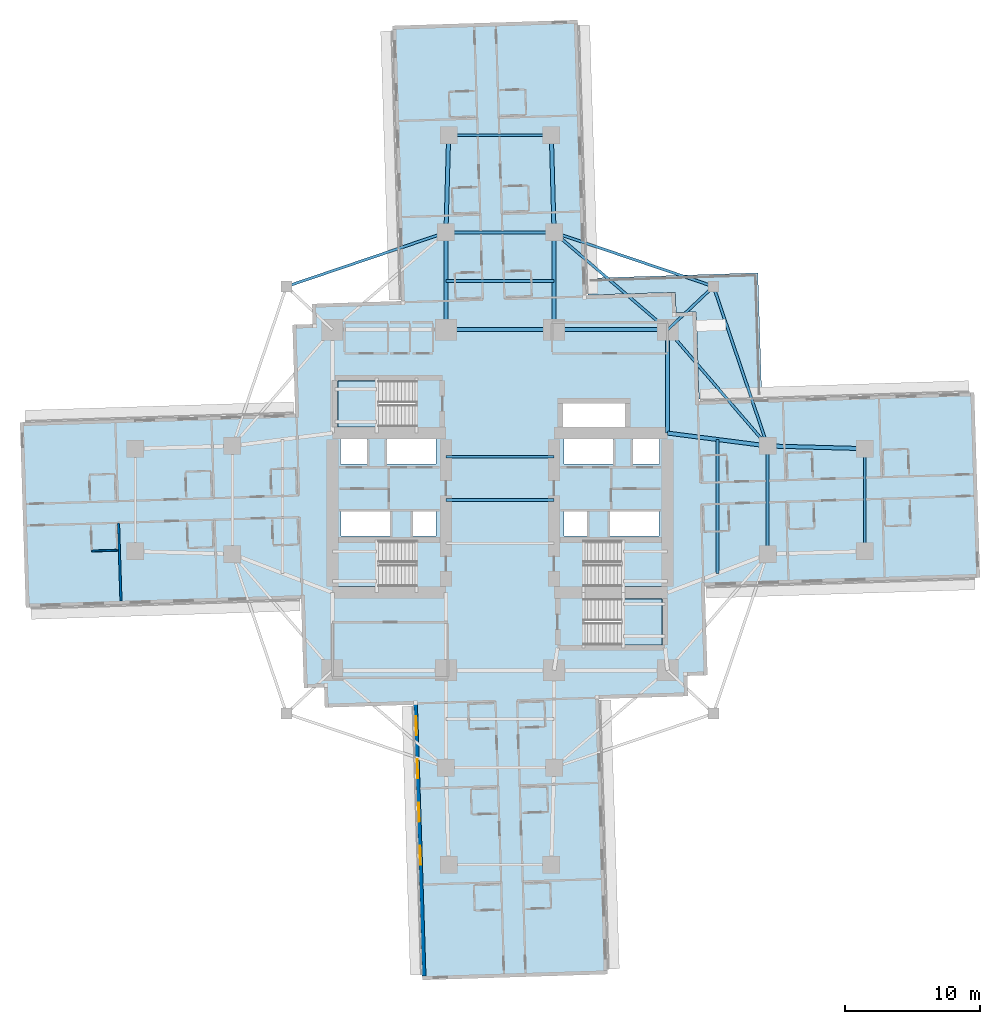
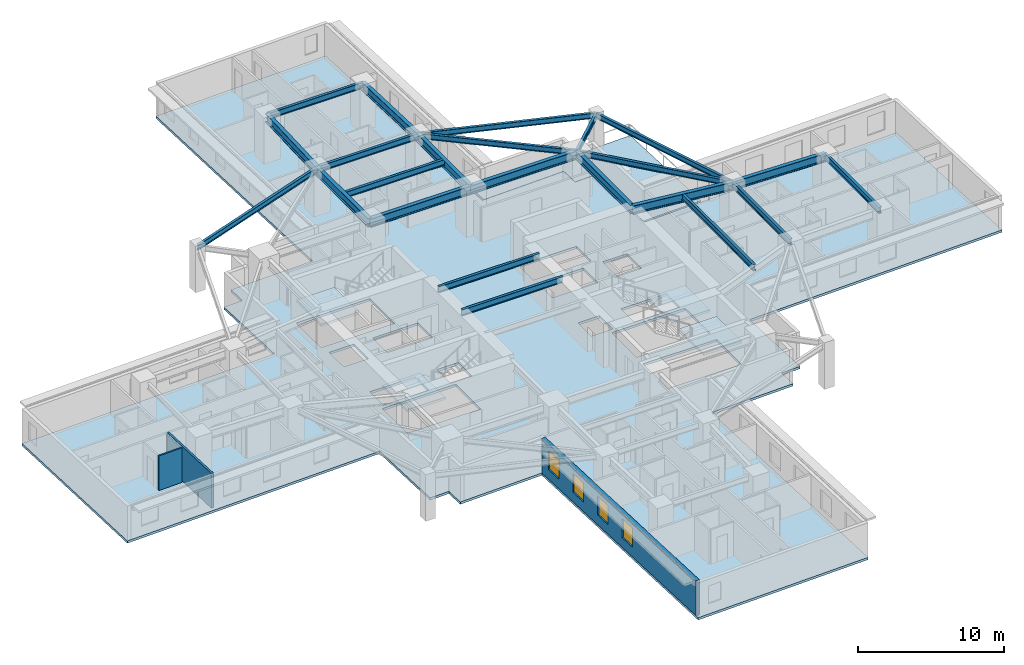
# One storey, part 2 of 15: 23 beams, 6 slabs, 4 windows, 3 walls, 4 openings, 4 elements without a shape of their own.
"""IFC4 building model written with IfcOpenShell, lengths in metres."""

from ifc_helpers import new_model, si_unit, direction, frame, frame_2d, origin, origin_2d, place, context, subcontext, project, spatial, polyline, rectangle, i_section, outline, extrude, material, layer, layer_set, material_profile, profile_set, type_object, element, fill, aggregate, save


model = new_model("IFC4")

# Units and contexts
model_context = context("Model", 3, precision=1e-05, world=origin(), true_north=direction((0.0, 1.0)))
body_context = subcontext(model_context, "Body", "Model", "MODEL_VIEW")
ifc_project = project(units=[si_unit("LENGTHUNIT", "METRE"), si_unit("AREAUNIT", "SQUARE_METRE"), si_unit("VOLUMEUNIT", "CUBIC_METRE"), si_unit("PLANEANGLEUNIT", "RADIAN"), si_unit("MASSUNIT", "GRAM", prefix="KILO")], contexts=[model_context])

# Site, building, storey
site_placement = place(None, origin())
site = spatial("IfcSite", under=ifc_project, at=site_placement, CompositionType="ELEMENT")
building_placement = place(site_placement, origin())
building = spatial("IfcBuilding", under=site, at=building_placement, Name="Qingluan Cross Belvedere", CompositionType="ELEMENT")
storey_placement = place(building_placement, frame((0.0, 0.0, 31.5)))
storey = spatial("IfcBuildingStorey", under=building, at=storey_placement, Name="L08", CompositionType="ELEMENT", Elevation=31.5)

# Beams
ifc_material_1 = material(Name="Steel Q420GJB", Category="steel")
ifc_material_profile_1 = material_profile(ifc_material_1, i_section(OverallWidth=0.199951171875, OverallDepth=0.449951171875, WebThickness=0.009033203125, FlangeThickness=0.013916015625, FilletRadius=0.01611328125, at=origin_2d()), Name="HN450x200x9x14")
ifc_profile_set_1 = profile_set([ifc_material_profile_1], Name="Steel Q420GJB")
beam_type_1 = type_object("IfcBeamType", Name="Steel_Beam_HN450x200x9x14", PredefinedType="JOIST", material=ifc_profile_set_1)
beam_1_placement = place(storey_placement, frame((12.39990234375, 12.60009765625, 3.47509765625), z_axis=(0.728219948308, 0.685343495546, 0.0), x_axis=(-0.685343495546, 0.728219948308, 0.0)))
element("IfcBeam", 1, at=beam_1_placement, inside=storey, type_object=beam_type_1, Name="Corner beam 1 L08-RNE", PredefinedType="JOIST", context=body_context, shape_type="SweptSolid", body=[
    extrude(i_section(OverallWidth=0.199951171875, OverallDepth=0.449951171875, WebThickness=0.009033203125, FlangeThickness=0.013916015625, FilletRadius=0.01611328125, at=origin_2d()), origin(), (0.0, 0.0, 1.0), 4.669189453125),
])
for number, where, z_axis, x_axis, name in (
    (2, (15.800048828125, 15.800048828125, 3.47509765625), (-0.947066283324, 0.321038089628, 0.0), (-0.321038089628, -0.947066283324, 0.0), "Corner beam 2 L08-RNE"),
    (3, (15.800048828125, 15.800048828125, 3.47509765625), (0.321038089628, -0.947066283324, 0.0), (0.947066283324, 0.321038089628, 0.0), "Corner beam 3 L08-RNE"),
):
    element("IfcBeam", number, at=place(storey_placement, frame(where, z_axis=z_axis, x_axis=x_axis)), inside=storey, type_object=beam_type_1, Name=name, PredefinedType="JOIST", context=body_context, shape_type="SweptSolid", body=[
        extrude(i_section(OverallWidth=0.199951171875, OverallDepth=0.449951171875, WebThickness=0.009033203125, FlangeThickness=0.013916015625, FilletRadius=0.01611328125, at=origin_2d()), origin(), (0.0, 0.0, 1.0), 12.45947265625),
    ])
beam_2_placement = place(storey_placement, frame((12.39990234375, 12.60009765625, 3.47509765625), z_axis=(0.652245077546, -0.75800815221, 0.0), x_axis=(0.75800815221, 0.652245077546, 0.0)))
element("IfcBeam", 4, at=beam_2_placement, inside=storey, type_object=beam_type_1, Name="Corner beam 4 L08-RNE", PredefinedType="JOIST", context=body_context, shape_type="SweptSolid", body=[
    extrude(i_section(OverallWidth=0.199951171875, OverallDepth=0.449951171875, WebThickness=0.009033203125, FlangeThickness=0.013916015625, FilletRadius=0.01611328125, at=origin_2d()), origin(), (0.0, 0.0, 1.0), 11.345703125),
])
beam_3_placement = place(storey_placement, frame((12.39990234375, 12.60009765625, 3.47509765625), z_axis=(-0.759255044656, 0.650793190779, 0.0), x_axis=(-0.650793190779, -0.759255044656, 0.0)))
element("IfcBeam", 5, at=beam_3_placement, inside=storey, type_object=beam_type_1, Name="Corner beam 5 L08-RNE", PredefinedType="JOIST", context=body_context, shape_type="SweptSolid", body=[
    extrude(i_section(OverallWidth=0.199951171875, OverallDepth=0.449951171875, WebThickness=0.009033203125, FlangeThickness=0.013916015625, FilletRadius=0.01611328125, at=origin_2d()), origin(), (0.0, 0.0, 1.0), 11.063232421875),
])
beam_4_placement = place(storey_placement, frame((-15.800048828125, 15.800048828125, 3.455078125), z_axis=(0.947066283324, 0.321038089628, 0.0), x_axis=(-0.321038089628, 0.947066283324, 0.0)))
element("IfcBeam", 6, at=beam_4_placement, inside=storey, type_object=beam_type_1, Name="Corner beam 2 L08-RNW", PredefinedType="JOIST", context=body_context, shape_type="SweptSolid", body=[
    extrude(i_section(OverallWidth=0.199951171875, OverallDepth=0.449951171875, WebThickness=0.009033203125, FlangeThickness=0.013916015625, FilletRadius=0.01611328125, at=origin_2d()), origin(), (0.0, 0.0, 1.0), 12.45947265625),
])
ifc_material_2 = material(Name="Steel Q420GJB", Category="steel")
ifc_material_profile_2 = material_profile(ifc_material_2, i_section(OverallWidth=0.199951171875, OverallDepth=0.5, WebThickness=0.010009765625, FlangeThickness=0.01611328125, FilletRadius=0.01611328125, at=origin_2d()), Name="HN500x200x10x16")
ifc_profile_set_2 = profile_set([ifc_material_profile_2], Name="Steel Q420GJB")
beam_type_2 = type_object("IfcBeamType", Name="Steel_Beam_HN500x200x10x16", PredefinedType="JOIST", material=ifc_profile_set_2)
for number, where, z_axis, x_axis, name in (
    (7, (-4.0, 0.0, 3.449951171875), (1.0, 0.0, 0.0), (0.0, 1.0, 0.0), "Hall beam L08-CH2"),
    (8, (-4.0, 3.199951171875, 3.449951171875), (1.0, 0.0, 0.0), (0.0, 1.0, 0.0), "Hall beam L08-CH3"),
    (9, (19.800048828125, -4.0, 3.449951171875), (0.0, 1.0, 0.0), (-1.0, 0.0, 0.0), "Arm E tie L08"),
):
    element("IfcBeam", number, at=place(storey_placement, frame(where, z_axis=z_axis, x_axis=x_axis)), inside=storey, type_object=beam_type_2, Name=name, PredefinedType="JOIST", context=body_context, shape_type="SweptSolid", body=[
        extrude(i_section(OverallWidth=0.199951171875, OverallDepth=0.5, WebThickness=0.010009765625, FlangeThickness=0.01611328125, FilletRadius=0.01611328125, at=origin_2d()), origin(), (0.0, 0.0, 1.0), 8.0),
    ])
beam_5_placement = place(storey_placement, frame((16.10009765625, -5.425048828125, 3.449951171875), z_axis=(0.0, 1.0, 0.0), x_axis=(-1.0, 0.0, 0.0)))
element("IfcBeam", 10, at=beam_5_placement, inside=storey, type_object=beam_type_2, Name="Arm E beam L08", PredefinedType="JOIST", context=body_context, shape_type="SweptSolid", body=[
    extrude(i_section(OverallWidth=0.199951171875, OverallDepth=0.5, WebThickness=0.010009765625, FlangeThickness=0.01611328125, FilletRadius=0.01611328125, at=origin_2d()), origin(), (0.0, 0.0, 1.0), 9.900146484375),
])
beam_6_placement = place(storey_placement, frame((27.0, -3.800048828125, 3.449951171875), z_axis=(0.0, 1.0, 0.0), x_axis=(-1.0, 0.0, 0.0)))
element("IfcBeam", 11, at=beam_6_placement, inside=storey, type_object=beam_type_2, Name="Arm E tip transverse beam L08", PredefinedType="JOIST", context=body_context, shape_type="SweptSolid", body=[
    extrude(i_section(OverallWidth=0.199951171875, OverallDepth=0.5, WebThickness=0.010009765625, FlangeThickness=0.01611328125, FilletRadius=0.01611328125, at=origin_2d()), origin(), (0.0, 0.0, 1.0), 7.60009765625),
])
for number, where, z_axis, x_axis, name in (
    (12, (-4.0, 19.800048828125, 3.449951171875), (1.0, 0.0, 0.0), (0.0, 1.0, 0.0), "Arm N tie L08"),
    (13, (-4.0, 16.199951171875, 3.449951171875), (1.0, 0.0, 0.0), (0.0, 1.0, 0.0), "Arm N beam L08"),
):
    element("IfcBeam", number, at=place(storey_placement, frame(where, z_axis=z_axis, x_axis=x_axis)), inside=storey, type_object=beam_type_2, Name=name, PredefinedType="JOIST", context=body_context, shape_type="SweptSolid", body=[
        extrude(i_section(OverallWidth=0.199951171875, OverallDepth=0.5, WebThickness=0.010009765625, FlangeThickness=0.01611328125, FilletRadius=0.01611328125, at=origin_2d()), origin(), (0.0, 0.0, 1.0), 8.0),
    ])
beam_7_placement = place(storey_placement, frame((-3.800048828125, 27.0, 3.449951171875), z_axis=(1.0, 0.0, 0.0), x_axis=(0.0, 1.0, 0.0)))
element("IfcBeam", 14, at=beam_7_placement, inside=storey, type_object=beam_type_2, Name="Arm N tip transverse beam L08", PredefinedType="JOIST", context=body_context, shape_type="SweptSolid", body=[
    extrude(i_section(OverallWidth=0.199951171875, OverallDepth=0.5, WebThickness=0.010009765625, FlangeThickness=0.01611328125, FilletRadius=0.01611328125, at=origin_2d()), origin(), (0.0, 0.0, 1.0), 7.60009765625),
])
ifc_material_3 = material(Name="Steel Q420GJB", Category="steel")
ifc_material_profile_3 = material_profile(ifc_material_3, i_section(OverallWidth=0.300048828125, OverallDepth=0.699951171875, WebThickness=0.014892578125, FlangeThickness=0.027099609375, FilletRadius=0.027099609375, at=origin_2d()), Name="HEB700")
ifc_profile_set_3 = profile_set([ifc_material_profile_3], Name="Steel Q420GJB")
beam_type_3 = type_object("IfcBeamType", Name="Steel_Girder_HEB700", PredefinedType="USERDEFINED", material=ifc_profile_set_3)
beam_8_placement = place(storey_placement, frame((-4.0, 12.60009765625, 3.35009765625), z_axis=(1.0, 0.0, 0.0), x_axis=(0.0, 1.0, 0.0)))
element("IfcBeam", 15, at=beam_8_placement, inside=storey, type_object=beam_type_3, Name="Hub girder L08-HG-N2", ObjectType="GIRDER", PredefinedType="USERDEFINED", context=body_context, shape_type="SweptSolid", body=[
    extrude(i_section(OverallWidth=0.300048828125, OverallDepth=0.699951171875, WebThickness=0.014892578125, FlangeThickness=0.027099609375, FilletRadius=0.027099609375, at=origin_2d()), origin(), (0.0, 0.0, 1.0), 8.0),
])
beam_9_placement = place(storey_placement, frame((4.0, 12.60009765625, 3.35009765625), z_axis=(1.0, 0.0, 0.0), x_axis=(0.0, 1.0, 0.0)))
element("IfcBeam", 16, at=beam_9_placement, inside=storey, type_object=beam_type_3, Name="Hub girder L08-HG-N3", ObjectType="GIRDER", PredefinedType="USERDEFINED", context=body_context, shape_type="SweptSolid", body=[
    extrude(i_section(OverallWidth=0.300048828125, OverallDepth=0.699951171875, WebThickness=0.014892578125, FlangeThickness=0.027099609375, FilletRadius=0.027099609375, at=origin_2d()), origin(), (0.0, 0.0, 1.0), 8.39990234375),
])
beam_10_placement = place(storey_placement, frame((12.39990234375, 4.949951171875, 3.35009765625), z_axis=(0.0, 1.0, 0.0), x_axis=(-1.0, 0.0, 0.0)))
element("IfcBeam", 17, at=beam_10_placement, inside=storey, type_object=beam_type_3, Name="Hub girder L08-HG-E2", ObjectType="GIRDER", PredefinedType="USERDEFINED", context=body_context, shape_type="SweptSolid", body=[
    extrude(i_section(OverallWidth=0.300048828125, OverallDepth=0.699951171875, WebThickness=0.014892578125, FlangeThickness=0.027099609375, FilletRadius=0.027099609375, at=origin_2d()), origin(), (0.0, 0.0, 1.0), 7.650146484375),
])
beam_11_placement = place(storey_placement, frame((12.39990234375, 4.949951171875, 3.35009765625), z_axis=(0.991861120628, -0.12732445714, 0.0), x_axis=(0.12732445714, 0.991861120628, 0.0)))
element("IfcBeam", 18, at=beam_11_placement, inside=storey, type_object=beam_type_3, Name="Arm E radial girder B L08", ObjectType="GIRDER", PredefinedType="USERDEFINED", context=body_context, shape_type="SweptSolid", body=[
    extrude(i_section(OverallWidth=0.300048828125, OverallDepth=0.699951171875, WebThickness=0.014892578125, FlangeThickness=0.027099609375, FilletRadius=0.027099609375, at=origin_2d()), origin(), (0.0, 0.0, 1.0), 7.4609375),
])
beam_12_placement = place(storey_placement, frame((19.800048828125, 4.0, 3.35009765625), z_axis=(0.999614603568, -0.027760481514, 0.0), x_axis=(0.027760481514, 0.999614603568, 0.0)))
element("IfcBeam", 19, at=beam_12_placement, inside=storey, type_object=beam_type_3, Name="Arm E outer radial girder B L08", ObjectType="GIRDER", PredefinedType="USERDEFINED", context=body_context, shape_type="SweptSolid", body=[
    extrude(i_section(OverallWidth=0.300048828125, OverallDepth=0.699951171875, WebThickness=0.014892578125, FlangeThickness=0.027099609375, FilletRadius=0.027099609375, at=origin_2d()), origin(), (0.0, 0.0, 1.0), 7.20263671875),
])
for number, where, z_axis, x_axis, name in (
    (20, (-4.0, 12.60009765625, 3.35009765625), (0.0, 1.0, 0.0), (-1.0, 0.0, 0.0), "Arm N radial girder A L08"),
    (21, (4.0, 12.60009765625, 3.35009765625), (0.0, 1.0, 0.0), (-1.0, 0.0, 0.0), "Arm N radial girder B L08"),
):
    element("IfcBeam", number, at=place(storey_placement, frame(where, z_axis=z_axis, x_axis=x_axis)), inside=storey, type_object=beam_type_3, Name=name, ObjectType="GIRDER", PredefinedType="USERDEFINED", context=body_context, shape_type="SweptSolid", body=[
        extrude(i_section(OverallWidth=0.300048828125, OverallDepth=0.699951171875, WebThickness=0.014892578125, FlangeThickness=0.027099609375, FilletRadius=0.027099609375, at=origin_2d()), origin(), (0.0, 0.0, 1.0), 7.199951171875),
    ])
for number, where, z_axis, x_axis, name in (
    (22, (-4.0, 19.800048828125, 3.35009765625), (0.027760481514, 0.999614603568, 0.0), (-0.999614603568, 0.027760481514, 0.0), "Arm N outer radial girder A L08"),
    (23, (4.0, 19.800048828125, 3.35009765625), (-0.027760481514, 0.999614603568, 0.0), (-0.999614603568, -0.027760481514, 0.0), "Arm N outer radial girder B L08"),
):
    element("IfcBeam", number, at=place(storey_placement, frame(where, z_axis=z_axis, x_axis=x_axis)), inside=storey, type_object=beam_type_3, Name=name, ObjectType="GIRDER", PredefinedType="USERDEFINED", context=body_context, shape_type="SweptSolid", body=[
        extrude(i_section(OverallWidth=0.300048828125, OverallDepth=0.699951171875, WebThickness=0.014892578125, FlangeThickness=0.027099609375, FilletRadius=0.027099609375, at=origin_2d()), origin(), (0.0, 0.0, 1.0), 7.20263671875),
    ])

# Slab
ifc_material_4 = material(Name="Concrete C40", Category="concrete")
ifc_layer_1 = layer(ifc_material_4, 0.199951171875, Name="FloorSlab_200")
ifc_layer_set_1 = layer_set([ifc_layer_1], Name="Concrete C40")
slab_type_1 = type_object("IfcSlabType", Name="FloorSlab_200", PredefinedType="FLOOR", material=ifc_layer_set_1)
slab_1_placement = place(storey_placement, frame((0.0, 0.0, -0.199951171875)))
element("IfcSlab", 24, at=slab_1_placement, inside=storey, type_object=slab_type_1, Name="Structural floor slab L08", PredefinedType="FLOOR", context=body_context, shape_type="SweptSolid", body=[
    extrude(outline(polyline([(7.966064453125, -35.087158203125), (7.325927734375, -14.71728515625), (13.902587890625, -14.510498046875), (13.85546875, -13.01123046875), (15.354736328125, -12.964111328125), (15.148193359375, -6.38720703125), (35.51806640625, -5.747314453125), (35.087158203125, 7.966064453125), (14.71728515625, 7.325927734375), (14.510498046875, 13.902587890625), (13.01123046875, 13.85546875), (12.964111328125, 15.354736328125), (6.38720703125, 15.148193359375), (5.747314453125, 35.51806640625), (-7.966064453125, 35.087158203125), (-7.325927734375, 14.71728515625), (-13.902587890625, 14.510498046875), (-13.85546875, 13.01123046875), (-15.354736328125, 12.964111328125), (-15.148193359375, 6.38720703125), (-35.51806640625, 5.747314453125), (-35.087158203125, -7.966064453125), (-14.71728515625, -7.325927734375), (-14.510498046875, -13.902587890625), (-13.01123046875, -13.85546875), (-12.964111328125, -15.354736328125), (-6.38720703125, -15.148193359375), (-5.747314453125, -35.51806640625), (7.966064453125, -35.087158203125)]), holes=[polyline([(-12.0, -3.0), (-6.179931640625, -3.0), (-6.179931640625, -6.39990234375), (-12.0, -6.39990234375), (-12.0, -3.0)]), polyline([(6.179931640625, -3.0), (12.0, -3.0), (12.0, -6.39990234375), (6.179931640625, -6.39990234375), (6.179931640625, -3.0)]), polyline([(-12.0, 8.820068359375), (-6.179931640625, 8.820068359375), (-6.179931640625, 5.419921875), (-12.0, 5.419921875), (-12.0, 8.820068359375)]), polyline([(6.179931640625, -7.320068359375), (12.0, -7.320068359375), (12.0, -10.719970703125), (6.179931640625, -10.719970703125), (6.179931640625, -7.320068359375)]), polyline([(-11.800048828125, 4.64990234375), (-9.85009765625, 4.64990234375), (-9.85009765625, 2.64990234375), (-11.800048828125, 2.64990234375), (-11.800048828125, 4.64990234375)]), polyline([(-8.35009765625, 4.64990234375), (-4.75, 4.64990234375), (-4.75, 2.64990234375), (-8.35009765625, 2.64990234375), (-8.35009765625, 4.64990234375)]), polyline([(4.75, 4.64990234375), (8.35009765625, 4.64990234375), (8.35009765625, 2.64990234375), (4.75, 2.64990234375), (4.75, 4.64990234375)]), polyline([(9.85009765625, 4.64990234375), (11.800048828125, 4.64990234375), (11.800048828125, 2.64990234375), (9.85009765625, 2.64990234375), (9.85009765625, 4.64990234375)]), polyline([(-11.75, -0.840087890625), (-8.14990234375, -0.840087890625), (-8.14990234375, -2.659912109375), (-11.75, -2.659912109375), (-11.75, -0.840087890625)]), polyline([(-6.449951171875, -0.840087890625), (-4.75, -0.840087890625), (-4.75, -2.659912109375), (-6.449951171875, -2.659912109375), (-6.449951171875, -0.840087890625)]), polyline([(4.75, -0.840087890625), (6.449951171875, -0.840087890625), (6.449951171875, -2.659912109375), (4.75, -2.659912109375), (4.75, -0.840087890625)]), polyline([(8.14990234375, -0.840087890625), (11.75, -0.840087890625), (11.75, -2.659912109375), (8.14990234375, -2.659912109375), (8.14990234375, -0.840087890625)]), polyline([(4.64990234375, 7.14990234375), (9.25, 7.14990234375), (9.25, 5.14990234375), (4.64990234375, 5.14990234375), (4.64990234375, 7.14990234375)])]), origin(), (0.0, 0.0, 1.0), 0.199951171875),
])

# Stair, slab
ifc_material_5 = material(Name="Concrete C40", Category="concrete")
stair_type = type_object("IfcStairType", Name="CoreDoglegStair_1620", PredefinedType="HALF_TURN_STAIR", material=ifc_material_5)
stair_1_placement = place(storey_placement, origin())
stair_1 = element("IfcStair", 25, at=stair_1_placement, inside=storey, type_object=stair_type, Name="L08 ST1", PredefinedType="HALF_TURN_STAIR")
ifc_material_6 = material(Name="Concrete C40", Category="concrete")
ifc_layer_2 = layer(ifc_material_6, 0.179931640625, Name="StairLandingSlab_180")
ifc_layer_set_2 = layer_set([ifc_layer_2], Name="Concrete C40")
slab_type_2 = type_object("IfcSlabType", Name="StairLandingSlab_180", PredefinedType="LANDING", material=ifc_layer_set_2)
slab_2_placement = place(storey_placement, frame((0.0, 0.0, 1.75)))
slab_2 = element("IfcSlab", 26, at=slab_2_placement, type_object=slab_type_2, Name="ST1 landing 1", PredefinedType="LANDING", context=body_context, shape_type="SweptSolid", body=[
    extrude(outline(polyline([(-8.97998046875, -3.0), (-12.0, -3.0), (-12.0, -6.39990234375), (-8.97998046875, -6.39990234375), (-8.97998046875, -3.0)])), origin(), (0.0, 0.0, 1.0), 0.199951171875),
])
aggregate(stair_1, [slab_2])

stair_2_placement = place(storey_placement, origin())
stair_2 = element("IfcStair", 27, at=stair_2_placement, inside=storey, type_object=stair_type, Name="L08 ST2", PredefinedType="HALF_TURN_STAIR")
slab_3_placement = place(storey_placement, frame((0.0, 0.0, 1.75)))
slab_3 = element("IfcSlab", 28, at=slab_3_placement, type_object=slab_type_2, Name="ST2 landing 1", PredefinedType="LANDING", context=body_context, shape_type="SweptSolid", body=[
    extrude(outline(polyline([(8.97998046875, -6.39990234375), (12.0, -6.39990234375), (12.0, -3.0), (8.97998046875, -3.0), (8.97998046875, -6.39990234375)])), origin(), (0.0, 0.0, 1.0), 0.199951171875),
])
aggregate(stair_2, [slab_3])

stair_3_placement = place(storey_placement, origin())
stair_3 = element("IfcStair", 29, at=stair_3_placement, inside=storey, type_object=stair_type, Name="L08 ST3", PredefinedType="HALF_TURN_STAIR")
slab_4_placement = place(storey_placement, frame((0.0, 0.0, 1.75)))
slab_4 = element("IfcSlab", 30, at=slab_4_placement, type_object=slab_type_2, Name="ST3 landing 1", PredefinedType="LANDING", context=body_context, shape_type="SweptSolid", body=[
    extrude(outline(polyline([(-8.97998046875, 8.820068359375), (-12.0, 8.820068359375), (-12.0, 5.419921875), (-8.97998046875, 5.419921875), (-8.97998046875, 8.820068359375)])), origin(), (0.0, 0.0, 1.0), 0.199951171875),
])
aggregate(stair_3, [slab_4])

stair_4_placement = place(storey_placement, origin())
stair_4 = element("IfcStair", 31, at=stair_4_placement, inside=storey, type_object=stair_type, Name="L08 ST4", PredefinedType="HALF_TURN_STAIR")
slab_5_placement = place(storey_placement, frame((0.0, 0.0, 1.75)))
slab_5 = element("IfcSlab", 32, at=slab_5_placement, type_object=slab_type_2, Name="ST4 landing 1", PredefinedType="LANDING", context=body_context, shape_type="SweptSolid", body=[
    extrude(outline(polyline([(8.97998046875, -10.719970703125), (12.0, -10.719970703125), (12.0, -7.320068359375), (8.97998046875, -7.320068359375), (8.97998046875, -10.719970703125)])), origin(), (0.0, 0.0, 1.0), 0.199951171875),
])
aggregate(stair_4, [slab_5])

# Slab
ifc_material_7 = material(Name="Concrete C40", Category="concrete")
ifc_layer_3 = layer(ifc_material_7, 0.219970703125, Name="TerraceSlab_220")
ifc_layer_set_3 = layer_set([ifc_layer_3], Name="Concrete C40")
slab_type_3 = type_object("IfcSlabType", Name="TerraceSlab_220", PredefinedType="FLOOR", material=ifc_layer_set_3)
slab_6_placement = place(storey_placement, frame((0.0, 0.0, -0.219970703125)))
element("IfcSlab", 33, at=slab_6_placement, inside=storey, type_object=slab_type_3, Name="Spiralling winter-garden terrace slab L08", PredefinedType="FLOOR", context=body_context, shape_type="SweptSolid", body=[
    extrude(outline(polyline([(6.527099609375, 15.16259765625), (12.969482421875, 15.36328125), (13.02099609375, 13.86572265625), (14.51025390625, 13.91259765625), (14.520263671875, 13.90478515625), (14.72265625, 7.466064453125), (19.37060546875, 7.6123046875), (19.08154296875, 16.8076171875), (6.48779296875, 16.411865234375), (6.527099609375, 15.16259765625)])), origin(), (0.0, 0.0, 1.0), 0.219970703125),
])

# Walls
ifc_material_8 = material(Name="Gypsum plasterboard on steel stud acoustic partition", Category="steel")
ifc_layer_4 = layer(ifc_material_8, 0.159912109375, Name="CorridorPartition_160")
ifc_layer_set_4 = layer_set([ifc_layer_4], Name="Gypsum plasterboard on steel stud acoustic partition")
wall_type_1 = type_object("IfcWallType", Name="CorridorPartition_160", PredefinedType="PARTITIONING", material=ifc_layer_set_4)
wall_1_placement = place(storey_placement, frame((-28.22900390625, -1.6875, 0.0), z_axis=(0.0, 0.0, 1.0), x_axis=(0.031426220357, -0.999506074356, 0.0)))
element("IfcWall", 34, at=wall_1_placement, inside=storey, type_object=wall_type_1, Name="Partition L08:W:d1_1", PredefinedType="PARTITIONING", context=body_context, shape_type="SweptSolid", body=[
    extrude(rectangle(XDim=5.772216796875, YDim=0.159912109375, at=frame_2d((2.88623046875, 0.0))), origin(), (0.0, 0.0, 1.0), 2.89990234375),
])
ifc_material_9 = material(Name="Moisture-resistant gypsum board lining")
ifc_layer_5 = layer(ifc_material_9, 0.1201171875, Name="EnsuiteWetPartition_120")
ifc_layer_set_5 = layer_set([ifc_layer_5], Name="Moisture-resistant gypsum board lining")
wall_type_2 = type_object("IfcWallType", Name="EnsuiteWetPartition_120", PredefinedType="PARTITIONING", material=ifc_layer_set_5)
wall_2_placement = place(storey_placement, frame((-28.3251953125, -3.716552734375, 0.0), z_axis=(0.0, 0.0, 1.0), x_axis=(-0.999506103526, -0.031425292588, 0.0)))
element("IfcWall", 35, at=wall_2_placement, inside=storey, type_object=wall_type_2, Name="Partition L08:W:bc1_2", PredefinedType="PARTITIONING", context=body_context, shape_type="SweptSolid", body=[
    extrude(rectangle(XDim=1.880126953125, YDim=0.1201171875, at=frame_2d((0.93994140625, 0.0))), origin(), (0.0, 0.0, 1.0), 2.89990234375),
])

# Wall, openings, windows
ifc_material_10 = material(Name="Precast concrete C45", Category="concrete")
ifc_layer_6 = layer(ifc_material_10, 0.280029296875, Name="PrecastFacadeWall_280")
ifc_layer_set_6 = layer_set([ifc_layer_6], Name="Precast concrete C45")
wall_type_3 = type_object("IfcWallType", Name="PrecastFacadeWall_280", PredefinedType="STANDARD", material=ifc_layer_set_6)
wall_3_placement = place(storey_placement, frame((-6.247314453125, -15.143798828125, 0.0), z_axis=(0.0, 0.0, 1.0), x_axis=(0.031398187845, -0.999506955354, 0.0)))
wall_3 = element("IfcWall", 36, at=wall_3_placement, inside=storey, type_object=wall_type_3, Name="Facade wall L08-SA", PredefinedType="STANDARD", context=body_context, shape_type="SweptSolid", body=[
    extrude(rectangle(XDim=20.10009765625, YDim=0.280029296875, at=frame_2d((10.050048828125, 0.0))), origin(), (0.0, 0.0, 1.0), 2.909912109375),
])
opening_1_placement = place(wall_3_placement, frame((0.85009765625, 0.0, 0.800048828125)))
opening_1 = element("IfcOpeningElement", 37, at=opening_1_placement, cuts=wall_3, Name="Opening W-01", PredefinedType="OPENING", context=body_context, shape_type="SweptSolid", body=[
    extrude(rectangle(XDim=1.39990234375, YDim=1.60009765625, at=frame_2d((0.699951171875, 0.800048828125))), frame((0.0, 0.14990234375, 0.0), z_axis=(0.0, -1.0, 0.0), x_axis=(1.0, 0.0, 0.0)), (0.0, 0.0, 1.0), 0.300048828125),
])
opening_2_placement = place(wall_3_placement, frame((4.050048828125, 0.0, 0.800048828125)))
opening_2 = element("IfcOpeningElement", 38, at=opening_2_placement, cuts=wall_3, Name="Opening W-01", PredefinedType="OPENING", context=body_context, shape_type="SweptSolid", body=[
    extrude(rectangle(XDim=1.39990234375, YDim=1.60009765625, at=frame_2d((0.699951171875, 0.800048828125))), frame((0.0, 0.14990234375, 0.0), z_axis=(0.0, -1.0, 0.0), x_axis=(1.0, 0.0, 0.0)), (0.0, 0.0, 1.0), 0.300048828125),
])
opening_3_placement = place(wall_3_placement, frame((7.25, 0.0, 0.800048828125)))
opening_3 = element("IfcOpeningElement", 39, at=opening_3_placement, cuts=wall_3, Name="Opening W-01", PredefinedType="OPENING", context=body_context, shape_type="SweptSolid", body=[
    extrude(rectangle(XDim=1.39990234375, YDim=1.60009765625, at=frame_2d((0.699951171875, 0.800048828125))), frame((0.0, 0.14990234375, 0.0), z_axis=(0.0, -1.0, 0.0), x_axis=(1.0, 0.0, 0.0)), (0.0, 0.0, 1.0), 0.300048828125),
])
opening_4_placement = place(wall_3_placement, frame((10.449951171875, 0.0, 0.800048828125)))
opening_4 = element("IfcOpeningElement", 40, at=opening_4_placement, cuts=wall_3, Name="Opening W-01", PredefinedType="OPENING", context=body_context, shape_type="SweptSolid", body=[
    extrude(rectangle(XDim=1.39990234375, YDim=1.60009765625, at=frame_2d((0.699951171875, 0.800048828125))), frame((0.0, 0.14990234375, 0.0), z_axis=(0.0, -1.0, 0.0), x_axis=(1.0, 0.0, 0.0)), (0.0, 0.0, 1.0), 0.300048828125),
])
ifc_material_11 = material(Name="Thermally broken triple Low-E glass in aluminium frame", Category="aluminium")
window_type = type_object("IfcWindowType", Name="TriRibbonWin_1400x1600", PartitioningType="SINGLE_PANEL", PredefinedType="WINDOW", material=ifc_material_11)
window_1_placement = place(opening_1_placement, origin())
window_1 = element("IfcWindow", 41, at=window_1_placement, inside=storey, type_object=window_type, Name="Ribbon window L08-SA-1", OverallHeight=1.60009765625, OverallWidth=1.39990234375, PartitioningType="SINGLE_PANEL", PredefinedType="WINDOW", context=body_context, shape_type="SweptSolid", body=[
    extrude(rectangle(XDim=1.39990234375, YDim=1.60009765625, at=frame_2d((0.699951171875, 0.800048828125))), frame((0.0, 0.030029296875, 0.0), z_axis=(0.0, -1.0, 0.0), x_axis=(1.0, 0.0, 0.0)), (0.0, 0.0, 1.0), 0.06005859375),
])
fill(opening_1, window_1)
window_2_placement = place(opening_2_placement, origin())
window_2 = element("IfcWindow", 42, at=window_2_placement, inside=storey, type_object=window_type, Name="Ribbon window L08-SA-2", OverallHeight=1.60009765625, OverallWidth=1.39990234375, PartitioningType="SINGLE_PANEL", PredefinedType="WINDOW", context=body_context, shape_type="SweptSolid", body=[
    extrude(rectangle(XDim=1.39990234375, YDim=1.60009765625, at=frame_2d((0.699951171875, 0.800048828125))), frame((0.0, 0.030029296875, 0.0), z_axis=(0.0, -1.0, 0.0), x_axis=(1.0, 0.0, 0.0)), (0.0, 0.0, 1.0), 0.06005859375),
])
fill(opening_2, window_2)
window_3_placement = place(opening_3_placement, origin())
window_3 = element("IfcWindow", 43, at=window_3_placement, inside=storey, type_object=window_type, Name="Ribbon window L08-SA-3", OverallHeight=1.60009765625, OverallWidth=1.39990234375, PartitioningType="SINGLE_PANEL", PredefinedType="WINDOW", context=body_context, shape_type="SweptSolid", body=[
    extrude(rectangle(XDim=1.39990234375, YDim=1.60009765625, at=frame_2d((0.699951171875, 0.800048828125))), frame((0.0, 0.030029296875, 0.0), z_axis=(0.0, -1.0, 0.0), x_axis=(1.0, 0.0, 0.0)), (0.0, 0.0, 1.0), 0.06005859375),
])
fill(opening_3, window_3)
window_4_placement = place(opening_4_placement, origin())
window_4 = element("IfcWindow", 44, at=window_4_placement, inside=storey, type_object=window_type, Name="Ribbon window L08-SA-4", OverallHeight=1.60009765625, OverallWidth=1.39990234375, PartitioningType="SINGLE_PANEL", PredefinedType="WINDOW", context=body_context, shape_type="SweptSolid", body=[
    extrude(rectangle(XDim=1.39990234375, YDim=1.60009765625, at=frame_2d((0.699951171875, 0.800048828125))), frame((0.0, 0.030029296875, 0.0), z_axis=(0.0, -1.0, 0.0), x_axis=(1.0, 0.0, 0.0)), (0.0, 0.0, 1.0), 0.06005859375),
])
fill(opening_4, window_4)

save(model, "model.ifc")
